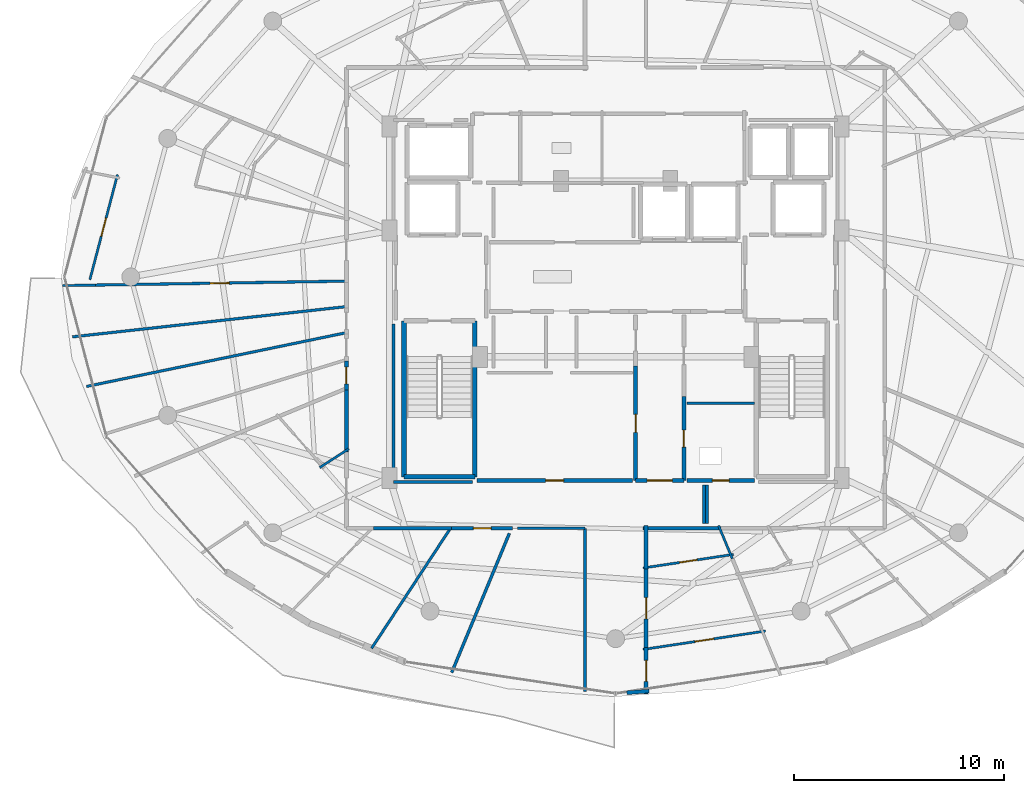
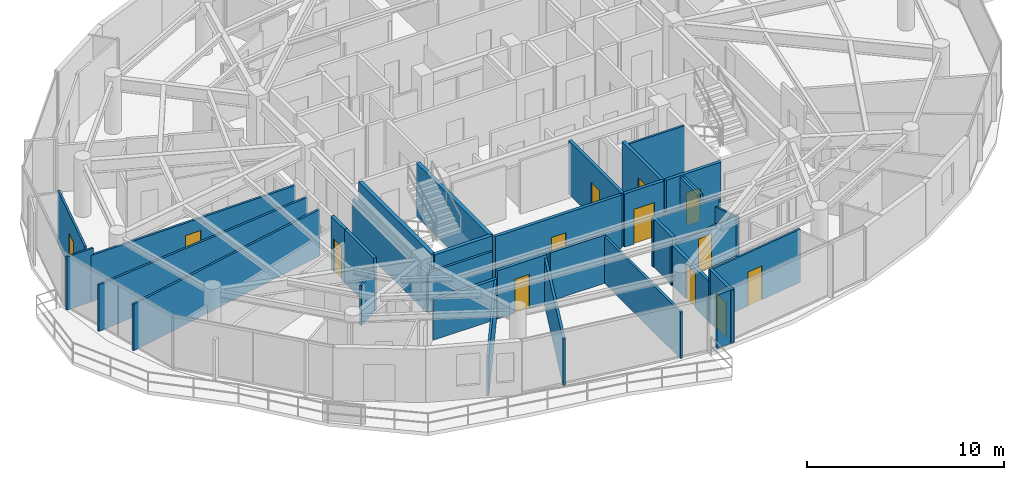
# One storey, part 24 of 32: 35 walls, 13 doors, 13 openings.
"""IFC4 building model written with IfcOpenShell, lengths in metres."""

from ifc_helpers import new_model, si_unit, direction, frame, frame_2d, origin, place, context, subcontext, project, spatial, rectangle, extrude, material, layer, layer_set, type_object, element, fill, save


model = new_model("IFC4")

# Units and contexts
model_context = context("Model", 3, precision=1e-05, world=origin(), true_north=direction((0.0, 1.0)))
body_context = subcontext(model_context, "Body", "Model", "MODEL_VIEW")
ifc_project = project(units=[si_unit("LENGTHUNIT", "METRE"), si_unit("AREAUNIT", "SQUARE_METRE"), si_unit("VOLUMEUNIT", "CUBIC_METRE"), si_unit("PLANEANGLEUNIT", "RADIAN"), si_unit("MASSUNIT", "GRAM", prefix="KILO")], contexts=[model_context])

# Site, building, storey
site_placement = place(None, origin())
site = spatial("IfcSite", under=ifc_project, at=site_placement, CompositionType="ELEMENT")
building_placement = place(site_placement, origin())
building = spatial("IfcBuilding", under=site, at=building_placement, Name="Vorneva Point Tower", CompositionType="ELEMENT")
storey_placement = place(building_placement, frame((0.0, 0.0, 269.75)))
storey = spatial("IfcBuildingStorey", under=building, at=storey_placement, Name="L73", CompositionType="ELEMENT", Elevation=269.75)

# Wall, opening, door
ifc_material_1 = material(Name="Fire-rated acoustic gypsum stud partition", Category="gypsum")
ifc_layer_1 = layer(ifc_material_1, 0.110107421875)
ifc_layer_set_1 = layer_set([ifc_layer_1], Name="Fire-rated acoustic gypsum stud partition")
wall_type_1 = type_object("IfcWallType", Name="WL-PART-110", PredefinedType="PARTITIONING", material=ifc_layer_set_1)
wall_1_placement = place(storey_placement, frame((14.318603515625, 30.8603515625, 0.0), z_axis=(0.0, 0.0, 1.0), x_axis=(-0.254404898477, -0.967097796312, 0.0)))
wall_1 = element("IfcWall", 1, at=wall_1_placement, inside=storey, type_object=wall_type_1, Name="L73 Interior Partition 091", PredefinedType="PARTITIONING", context=body_context, shape_type="SweptSolid", body=[
    extrude(rectangle(XDim=5.165771484375, YDim=0.110107421875, at=frame_2d((2.5830078125, 0.0))), origin(), (0.0, 0.0, 1.0), 3.2900390625),
])
opening_1_placement = place(wall_1_placement, frame((2.1328125, 0.0, 0.0)))
opening_1 = element("IfcOpeningElement", 2, at=opening_1_placement, cuts=wall_1, Name="Opening ID-01", PredefinedType="OPENING", context=body_context, shape_type="SweptSolid", body=[
    extrude(rectangle(XDim=0.89990234375, YDim=2.10009765625, at=frame_2d((0.449951171875, 1.050048828125))), frame((0.0, 0.06982421875, 0.0), z_axis=(0.0, -1.0, 0.0), x_axis=(1.0, 0.0, 0.0)), (0.0, 0.0, 1.0), 0.139892578125),
])
ifc_material_2 = material(Name="Engineered oak fire-rated door leaf", Category="wood")
door_type_1 = type_object("IfcDoorType", Name="DR-ROOM-900", OperationType="NOTDEFINED", PredefinedType="DOOR", material=ifc_material_2)
door_1_placement = place(opening_1_placement, origin())
door_1 = element("IfcDoor", 3, at=door_1_placement, inside=storey, type_object=door_type_1, Name="L73 Door Living and Dining Room L73-04 / Kitchen L73-04", OperationType="SINGLE_SWING_RIGHT", OverallHeight=2.10009765625, OverallWidth=0.89990234375, PredefinedType="DOOR", context=body_context, shape_type="SweptSolid", body=[
    extrude(rectangle(XDim=0.89990234375, YDim=2.10009765625, at=frame_2d((0.449951171875, 1.050048828125))), frame((0.0, 0.02490234375, 0.0), z_axis=(0.0, -1.0, 0.0), x_axis=(1.0, 0.0, 0.0)), (0.0, 0.0, 1.0), 0.050048828125),
])
fill(opening_1, door_1)

# Walls
wall_2_placement = place(storey_placement, frame((11.714111328125, 25.5869140625, 0.0), z_axis=(0.0, 0.0, 1.0), x_axis=(0.9998813462, 0.015404334465, 0.0)))
element("IfcWall", 4, at=wall_2_placement, inside=storey, type_object=wall_type_1, Name="L73 Interior Partition 098", PredefinedType="PARTITIONING", context=body_context, shape_type="SweptSolid", body=[
    extrude(rectangle(XDim=1.569091796875, YDim=0.110107421875, at=frame_2d((0.78466796875, 0.0))), origin(), (0.0, 0.0, 1.0), 3.2900390625),
])
wall_3_placement = place(storey_placement, frame((25.317626953125, 17.827880859375, 0.0), z_axis=(0.0, 0.0, 1.0), x_axis=(-0.840783734709, -0.541371140207, 0.0)))
element("IfcWall", 5, at=wall_3_placement, inside=storey, type_object=wall_type_1, Name="L73 Interior Partition 103", PredefinedType="PARTITIONING", context=body_context, shape_type="SweptSolid", body=[
    extrude(rectangle(XDim=1.648681640625, YDim=0.110107421875, at=frame_2d((0.82421875, 0.0))), origin(), (0.0, 0.0, 1.0), 2.48193359375),
])
wall_4_placement = place(storey_placement, frame((43.549560546875, 12.602783203125, 0.0), z_axis=(0.0, 0.0, 1.0), x_axis=(-0.382735094105, 0.923858131826, 0.0)))
element("IfcWall", 6, at=wall_4_placement, inside=storey, type_object=wall_type_1, Name="L73 Interior Partition 111", PredefinedType="PARTITIONING", context=body_context, shape_type="SweptSolid", body=[
    extrude(rectangle(XDim=1.706298828125, YDim=0.110107421875, at=frame_2d((0.85302734375, 0.0))), origin(), (0.0, 0.0, 1.0), 2.48193359375),
])

# Wall, opening, door
wall_5_placement = place(storey_placement, frame((43.611328125, 12.807861328125, 0.0), z_axis=(0.0, 0.0, 1.0), x_axis=(-0.988876968465, -0.148735810213, 0.0)))
wall_5 = element("IfcWall", 7, at=wall_5_placement, inside=storey, type_object=wall_type_1, Name="L73 Interior Partition 112", PredefinedType="PARTITIONING", context=body_context, shape_type="SweptSolid", body=[
    extrude(rectangle(XDim=4.34814453125, YDim=0.110107421875, at=frame_2d((2.174072265625, 0.0))), origin(), (0.0, 0.0, 1.0), 2.48193359375),
])
opening_2_placement = place(wall_5_placement, frame((1.7490234375, 0.0, 0.0)))
opening_2 = element("IfcOpeningElement", 8, at=opening_2_placement, cuts=wall_5, Name="Opening ID-02", PredefinedType="OPENING", context=body_context, shape_type="SweptSolid", body=[
    extrude(rectangle(XDim=0.85009765625, YDim=2.10009765625, at=frame_2d((0.425048828125, 1.050048828125))), frame((0.0, 0.06982421875, 0.0), z_axis=(0.0, -1.0, 0.0), x_axis=(1.0, 0.0, 0.0)), (0.0, 0.0, 1.0), 0.139892578125),
])
door_type_2 = type_object("IfcDoorType", Name="DR-BATH-850", OperationType="NOTDEFINED", PredefinedType="DOOR", material=ifc_material_2)
door_2_placement = place(opening_2_placement, origin())
door_2 = element("IfcDoor", 9, at=door_2_placement, inside=storey, type_object=door_type_2, Name="L73 Door Studio Apartment L73-06 / Bathroom L73-06", OperationType="SINGLE_SWING_RIGHT", OverallHeight=2.10009765625, OverallWidth=0.85009765625, PredefinedType="DOOR", context=body_context, shape_type="SweptSolid", body=[
    extrude(rectangle(XDim=0.85009765625, YDim=2.10009765625, at=frame_2d((0.425048828125, 1.050048828125))), frame((0.0, 0.02490234375, 0.0), z_axis=(0.0, -1.0, 0.0), x_axis=(1.0, 0.0, 0.0)), (0.0, 0.0, 1.0), 0.050048828125),
])
fill(opening_2, door_2)

wall_6_placement = place(storey_placement, frame((39.3115234375, 8.289306640625, 0.0), z_axis=(0.0, 0.0, 1.0), x_axis=(0.988884781275, 0.1486838571, 0.0)))
wall_6 = element("IfcWall", 10, at=wall_6_placement, inside=storey, type_object=wall_type_1, Name="L73 Interior Partition 114", PredefinedType="PARTITIONING", context=body_context, shape_type="SweptSolid", body=[
    extrude(rectangle(XDim=5.875, YDim=0.110107421875, at=frame_2d((2.9375, 0.0))), origin(), (0.0, 0.0, 1.0), 3.2900390625),
])
opening_3_placement = place(wall_6_placement, frame((2.487548828125, 0.0, 0.0)))
opening_3 = element("IfcOpeningElement", 11, at=opening_3_placement, cuts=wall_6, Name="Opening ID-01", PredefinedType="OPENING", context=body_context, shape_type="SweptSolid", body=[
    extrude(rectangle(XDim=0.89990234375, YDim=2.10009765625, at=frame_2d((0.449951171875, 1.050048828125))), frame((0.0, 0.06982421875, 0.0), z_axis=(0.0, -1.0, 0.0), x_axis=(1.0, 0.0, 0.0)), (0.0, 0.0, 1.0), 0.139892578125),
])
door_3_placement = place(opening_3_placement, origin())
door_3 = element("IfcDoor", 12, at=door_3_placement, inside=storey, type_object=door_type_1, Name="L73 Door Studio Apartment L73-06 / Kitchen L73-06", OperationType="SINGLE_SWING_LEFT", OverallHeight=2.10009765625, OverallWidth=0.89990234375, PredefinedType="DOOR", context=body_context, shape_type="SweptSolid", body=[
    extrude(rectangle(XDim=0.89990234375, YDim=2.10009765625, at=frame_2d((0.449951171875, 1.050048828125))), frame((0.0, 0.02490234375, 0.0), z_axis=(0.0, -1.0, 0.0), x_axis=(1.0, 0.0, 0.0)), (0.0, 0.0, 1.0), 0.050048828125),
])
fill(opening_3, door_3)

# Wall
ifc_layer_2 = layer(ifc_material_1, 0.125)
ifc_layer_set_2 = layer_set([ifc_layer_2], Name="Fire-rated acoustic gypsum stud partition")
wall_type_2 = type_object("IfcWallType", Name="WL-PART-125", PredefinedType="PARTITIONING", material=ifc_layer_set_2)
wall_7_placement = place(storey_placement, frame((44.60009765625, 20.0, 0.0), z_axis=(0.0, 0.0, 1.0), x_axis=(-1.0, 0.0, 0.0)))
element("IfcWall", 13, at=wall_7_placement, inside=storey, type_object=wall_type_2, Name="L73 Interior Partition 020", PredefinedType="PARTITIONING", context=body_context, shape_type="SweptSolid", body=[
    extrude(rectangle(XDim=3.2001953125, YDim=0.125, at=frame_2d((1.60009765625, 0.0))), origin(), (0.0, 0.0, 1.0), 3.2900390625),
])

# Wall, opening, door
wall_8_placement = place(storey_placement, frame((13.14306640625, 25.60888671875, 0.0), z_axis=(0.0, 0.0, 1.0), x_axis=(0.999875613351, 0.015772058374, 0.0)))
wall_8 = element("IfcWall", 14, at=wall_8_placement, inside=storey, type_object=wall_type_2, Name="L73 Interior Partition 095", PredefinedType="PARTITIONING", context=body_context, shape_type="SweptSolid", body=[
    extrude(rectangle(XDim=12.058349609375, YDim=0.125, at=frame_2d((6.029296875, 0.0))), origin(), (0.0, 0.0, 1.0), 2.8740234375),
])
opening_4_placement = place(wall_8_placement, frame((5.5791015625, 0.0, 0.0)))
opening_4 = element("IfcOpeningElement", 15, at=opening_4_placement, cuts=wall_8, Name="Opening ID-01", PredefinedType="OPENING", context=body_context, shape_type="SweptSolid", body=[
    extrude(rectangle(XDim=0.89990234375, YDim=2.10009765625, at=frame_2d((0.449951171875, 1.050048828125))), frame((0.0, 0.077392578125, 0.0), z_axis=(0.0, -1.0, 0.0), x_axis=(1.0, 0.0, 0.0)), (0.0, 0.0, 1.0), 0.15478515625),
])
door_4_placement = place(opening_4_placement, origin())
door_4 = element("IfcDoor", 16, at=door_4_placement, inside=storey, type_object=door_type_1, Name="L73 Door Living and Dining Room L73-04 / Master Bedroom L73-04.1", OperationType="SINGLE_SWING_RIGHT", OverallHeight=2.10009765625, OverallWidth=0.89990234375, PredefinedType="DOOR", context=body_context, shape_type="SweptSolid", body=[
    extrude(rectangle(XDim=0.89990234375, YDim=2.10009765625, at=frame_2d((0.449951171875, 1.050048828125))), frame((0.0, 0.02490234375, 0.0), z_axis=(0.0, -1.0, 0.0), x_axis=(1.0, 0.0, 0.0)), (0.0, 0.0, 1.0), 0.050048828125),
])
fill(opening_4, door_4)

# Walls
wall_9_placement = place(storey_placement, frame((12.172119140625, 23.14892578125, 0.0), z_axis=(0.0, 0.0, 1.0), x_axis=(0.993963433103, 0.109711866515, 0.0)))
element("IfcWall", 17, at=wall_9_placement, inside=storey, type_object=wall_type_2, Name="L73 Interior Partition 099", PredefinedType="PARTITIONING", context=body_context, shape_type="SweptSolid", body=[
    extrude(rectangle(XDim=13.10693359375, YDim=0.125, at=frame_2d((6.553466796875, 0.0))), origin(), (0.0, 0.0, 1.0), 2.8740234375),
])
wall_10_placement = place(storey_placement, frame((12.844970703125, 20.791015625, 0.0), z_axis=(0.0, 0.0, 1.0), x_axis=(0.97923049011, 0.202750208975, 0.0)))
element("IfcWall", 18, at=wall_10_placement, inside=storey, type_object=wall_type_2, Name="L73 Interior Partition 100", PredefinedType="PARTITIONING", context=body_context, shape_type="SweptSolid", body=[
    extrude(rectangle(XDim=12.616943359375, YDim=0.125, at=frame_2d((6.30859375, 0.0))), origin(), (0.0, 0.0, 1.0), 2.8740234375),
])
wall_11_placement = place(storey_placement, frame((26.39697265625, 8.3359375, 0.0), z_axis=(0.0, 0.0, 1.0), x_axis=(0.548967647923, 0.835843598728, 0.0)))
element("IfcWall", 19, at=wall_11_placement, inside=storey, type_object=wall_type_2, Name="L73 Interior Partition 110", PredefinedType="PARTITIONING", context=body_context, shape_type="SweptSolid", body=[
    extrude(rectangle(XDim=6.83642578125, YDim=0.125, at=frame_2d((3.418212890625, 0.0))), origin(), (0.0, 0.0, 1.0), 2.48193359375),
])
ifc_layer_3 = layer(ifc_material_1, 0.139892578125)
ifc_layer_set_3 = layer_set([ifc_layer_3], Name="Fire-rated acoustic gypsum stud partition")
wall_type_3 = type_object("IfcWallType", Name="WL-PART-140", PredefinedType="PARTITIONING", material=ifc_layer_set_3)
wall_12_placement = place(storey_placement, frame((33.330078125, 14.050048828125, 0.0), z_axis=(0.0, 0.0, 1.0), x_axis=(1.0, 0.0, 0.0)))
element("IfcWall", 20, at=wall_12_placement, inside=storey, type_object=wall_type_3, Name="L73 Interior Closure Partition 136", PredefinedType="PARTITIONING", context=body_context, shape_type="SweptSolid", body=[
    extrude(rectangle(XDim=3.219970703125, YDim=0.139892578125, at=frame_2d((1.60986328125, 0.0))), origin(), (0.0, 0.0, 1.0), 2.97900390625),
])
wall_13_placement = place(storey_placement, frame((36.550048828125, 14.050048828125, 0.0), z_axis=(0.0, 0.0, 1.0), x_axis=(0.0, -1.0, 0.0)))
element("IfcWall", 21, at=wall_13_placement, inside=storey, type_object=wall_type_3, Name="L73 Interior Closure Partition 137", PredefinedType="PARTITIONING", context=body_context, shape_type="SweptSolid", body=[
    extrude(rectangle(XDim=7.7509765625, YDim=0.139892578125, at=frame_2d((3.87548828125, 0.0))), origin(), (0.0, 0.0, 1.0), 2.8740234375),
])
wall_14_placement = place(storey_placement, frame((42.340087890625, 14.27001953125, 0.0), z_axis=(0.0, 0.0, 1.0), x_axis=(0.0, 1.0, 0.0)))
element("IfcWall", 22, at=wall_14_placement, inside=storey, type_object=wall_type_3, Name="L73 Interior Closure Partition 140", PredefinedType="PARTITIONING", context=body_context, shape_type="SweptSolid", body=[
    extrude(rectangle(XDim=1.830078125, YDim=0.139892578125, at=frame_2d((0.9150390625, 0.0))), origin(), (0.0, 0.0, 1.0), 3.2900390625),
])
wall_15_placement = place(storey_placement, frame((27.449951171875, 23.75390625, 0.0), z_axis=(0.0, 0.0, 1.0), x_axis=(0.0, -1.0, 0.0)))
element("IfcWall", 23, at=wall_15_placement, inside=storey, type_object=wall_type_3, Name="L73 Interior Closure Partition 148", PredefinedType="PARTITIONING", context=body_context, shape_type="SweptSolid", body=[
    extrude(rectangle(XDim=7.513916015625, YDim=0.139892578125, at=frame_2d((3.7568359375, 0.0))), origin(), (0.0, 0.0, 1.0), 2.48193359375),
])
wall_16_placement = place(storey_placement, frame((27.449951171875, 16.239990234375, 0.0), z_axis=(0.0, 0.0, 1.0), x_axis=(1.0, 0.0, 0.0)))
element("IfcWall", 24, at=wall_16_placement, inside=storey, type_object=wall_type_3, Name="L73 Interior Closure Partition 149", PredefinedType="PARTITIONING", context=body_context, shape_type="SweptSolid", body=[
    extrude(rectangle(XDim=3.7451171875, YDim=0.139892578125, at=frame_2d((1.87255859375, 0.0))), origin(), (0.0, 0.0, 1.0), 2.48193359375),
])
wall_17_placement = place(storey_placement, frame((42.199951171875, 16.10009765625, 0.0), z_axis=(0.0, 0.0, 1.0), x_axis=(0.0, -1.0, 0.0)))
element("IfcWall", 25, at=wall_17_placement, inside=storey, type_object=wall_type_3, Name="L73 Interior Closure Partition 150", PredefinedType="PARTITIONING", context=body_context, shape_type="SweptSolid", body=[
    extrude(rectangle(XDim=1.830078125, YDim=0.139892578125, at=frame_2d((0.9150390625, 0.0))), origin(), (0.0, 0.0, 1.0), 3.2900390625),
])
wall_18_placement = place(storey_placement, frame((30.20703125, 7.18701171875, 0.0), z_axis=(0.0, 0.0, 1.0), x_axis=(0.382679691634, 0.923881081964, 0.0)))
element("IfcWall", 26, at=wall_18_placement, inside=storey, type_object=wall_type_3, Name="L73 Interior Closure Partition 153", PredefinedType="PARTITIONING", context=body_context, shape_type="SweptSolid", body=[
    extrude(rectangle(XDim=7.167724609375, YDim=0.139892578125, at=frame_2d((3.583984375, 0.0))), origin(), (0.0, 0.0, 1.0), 2.8740234375),
])

# Wall, opening, door
ifc_material_3 = material(Name="Autoclaved aerated concrete blockwork", Category="masonry")
ifc_layer_4 = layer(ifc_material_3, 0.179931640625)
ifc_layer_set_4 = layer_set([ifc_layer_4], Name="Autoclaved aerated concrete blockwork")
wall_type_4 = type_object("IfcWallType", Name="WL-PART-180", PredefinedType="PARTITIONING", material=ifc_layer_set_4)
wall_19_placement = place(storey_placement, frame((41.25, 16.320068359375, 0.0), z_axis=(0.0, 0.0, 1.0), x_axis=(0.0, 1.0, 0.0)))
wall_19 = element("IfcWall", 27, at=wall_19_placement, inside=storey, type_object=wall_type_4, Name="L73 Interior Partition 015", PredefinedType="PARTITIONING", context=body_context, shape_type="SweptSolid", body=[
    extrude(rectangle(XDim=3.98486328125, YDim=0.179931640625, at=frame_2d((1.992431640625, 0.0))), origin(), (0.0, 0.0, 1.0), 3.2900390625),
])
opening_5_placement = place(wall_19_placement, frame((1.592529296875, 0.0, 0.0)))
opening_5 = element("IfcOpeningElement", 28, at=opening_5_placement, cuts=wall_19, Name="Opening RD-01", PredefinedType="OPENING", context=body_context, shape_type="SweptSolid", body=[
    extrude(rectangle(XDim=0.800048828125, YDim=2.050048828125, at=frame_2d((0.39990234375, 1.02490234375))), frame((0.0, 0.10498046875, 0.0), z_axis=(0.0, -1.0, 0.0), x_axis=(1.0, 0.0, 0.0)), (0.0, 0.0, 1.0), 0.209716796875),
])
ifc_material_4 = material(Name="Fire-rated powder-coated steel", Category="steel")
door_type_3 = type_object("IfcDoorType", Name="DR-RSR-800", OperationType="SINGLE_SWING_LEFT", PredefinedType="DOOR", material=ifc_material_4)
door_5_placement = place(opening_5_placement, origin())
door_5 = element("IfcDoor", 29, at=door_5_placement, inside=storey, type_object=door_type_3, Name="L73 Door Core Service Lobby / Electrical Riser", OperationType="SINGLE_SWING_RIGHT", OverallHeight=2.050048828125, OverallWidth=0.800048828125, PredefinedType="DOOR", context=body_context, shape_type="SweptSolid", body=[
    extrude(rectangle(XDim=0.800048828125, YDim=2.050048828125, at=frame_2d((0.39990234375, 1.02490234375))), frame((0.0, 0.02490234375, 0.0), z_axis=(0.0, -1.0, 0.0), x_axis=(1.0, 0.0, 0.0)), (0.0, 0.0, 1.0), 0.050048828125),
])
fill(opening_5, door_5)

wall_20_placement = place(storey_placement, frame((38.949951171875, 21.7548828125, 0.0), z_axis=(0.0, 0.0, 1.0), x_axis=(0.0, -1.0, 0.0)))
wall_20 = element("IfcWall", 30, at=wall_20_placement, inside=storey, type_object=wall_type_4, Name="L73 Interior Partition 017", PredefinedType="PARTITIONING", context=body_context, shape_type="SweptSolid", body=[
    extrude(rectangle(XDim=5.434814453125, YDim=0.179931640625, at=frame_2d((2.71728515625, 0.0))), origin(), (0.0, 0.0, 1.0), 3.2900390625),
])
opening_6_placement = place(wall_20_placement, frame((2.29248046875, 0.0, 0.0)))
opening_6 = element("IfcOpeningElement", 31, at=opening_6_placement, cuts=wall_20, Name="Opening ID-02", PredefinedType="OPENING", context=body_context, shape_type="SweptSolid", body=[
    extrude(rectangle(XDim=0.85009765625, YDim=2.10009765625, at=frame_2d((0.425048828125, 1.050048828125))), frame((0.0, 0.10498046875, 0.0), z_axis=(0.0, -1.0, 0.0), x_axis=(1.0, 0.0, 0.0)), (0.0, 0.0, 1.0), 0.209716796875),
])
door_6_placement = place(opening_6_placement, origin())
door_6 = element("IfcDoor", 32, at=door_6_placement, inside=storey, type_object=door_type_2, Name="L73 Door Core Service Lobby / Floor Storage Room", OperationType="SINGLE_SWING_RIGHT", OverallHeight=2.10009765625, OverallWidth=0.85009765625, PredefinedType="DOOR", context=body_context, shape_type="SweptSolid", body=[
    extrude(rectangle(XDim=0.85009765625, YDim=2.10009765625, at=frame_2d((0.425048828125, 1.050048828125))), frame((0.0, 0.02490234375, 0.0), z_axis=(0.0, -1.0, 0.0), x_axis=(1.0, 0.0, 0.0)), (0.0, 0.0, 1.0), 0.050048828125),
])
fill(opening_6, door_6)

wall_21_placement = place(storey_placement, frame((38.949951171875, 16.320068359375, 0.0), z_axis=(0.0, 0.0, 1.0), x_axis=(1.0, 0.0, 0.0)))
wall_21 = element("IfcWall", 33, at=wall_21_placement, inside=storey, type_object=wall_type_4, Name="L73 Interior Partition 019", PredefinedType="PARTITIONING", context=body_context, shape_type="SweptSolid", body=[
    extrude(rectangle(XDim=2.300048828125, YDim=0.179931640625, at=frame_2d((1.14990234375, 0.0))), origin(), (0.0, 0.0, 1.0), 3.2900390625),
])
opening_7_placement = place(wall_21_placement, frame((0.550048828125, 0.0, 0.0)))
opening_7 = element("IfcOpeningElement", 34, at=opening_7_placement, cuts=wall_21, Name="Opening FD-02", PredefinedType="OPENING", context=body_context, shape_type="SweptSolid", body=[
    extrude(rectangle(XDim=1.199951171875, YDim=2.14990234375, at=frame_2d((0.60009765625, 1.074951171875))), frame((0.0, 0.10498046875, 0.0), z_axis=(0.0, -1.0, 0.0), x_axis=(1.0, 0.0, 0.0)), (0.0, 0.0, 1.0), 0.209716796875),
])
door_type_4 = type_object("IfcDoorType", Name="DR-FFL-1200", OperationType="NOTDEFINED", PredefinedType="DOOR", material=ifc_material_4)
door_7_placement = place(opening_7_placement, origin())
door_7 = element("IfcDoor", 35, at=door_7_placement, inside=storey, type_object=door_type_4, Name="L73 Door Core Service Lobby / L73 Circulation Corridor", OperationType="SINGLE_SWING_RIGHT", OverallHeight=2.14990234375, OverallWidth=1.199951171875, PredefinedType="DOOR", context=body_context, shape_type="SweptSolid", body=[
    extrude(rectangle(XDim=1.199951171875, YDim=2.14990234375, at=frame_2d((0.60009765625, 1.074951171875))), frame((0.0, 0.02490234375, 0.0), z_axis=(0.0, -1.0, 0.0), x_axis=(1.0, 0.0, 0.0)), (0.0, 0.0, 1.0), 0.050048828125),
])
fill(opening_7, door_7)

wall_22_placement = place(storey_placement, frame((41.39990234375, 16.320068359375, 0.0), z_axis=(0.0, 0.0, 1.0), x_axis=(1.0, 0.0, 0.0)))
wall_22 = element("IfcWall", 36, at=wall_22_placement, inside=storey, type_object=wall_type_4, Name="L73 Interior Partition 021", PredefinedType="PARTITIONING", context=body_context, shape_type="SweptSolid", body=[
    extrude(rectangle(XDim=3.2001953125, YDim=0.179931640625, at=frame_2d((1.60009765625, 0.0))), origin(), (0.0, 0.0, 1.0), 3.2900390625),
])
opening_8_placement = place(wall_22_placement, frame((1.199951171875, 0.0, 0.0)))
opening_8 = element("IfcOpeningElement", 37, at=opening_8_placement, cuts=wall_22, Name="Opening RD-01", PredefinedType="OPENING", context=body_context, shape_type="SweptSolid", body=[
    extrude(rectangle(XDim=0.800048828125, YDim=2.050048828125, at=frame_2d((0.39990234375, 1.02490234375))), frame((0.0, 0.10498046875, 0.0), z_axis=(0.0, -1.0, 0.0), x_axis=(1.0, 0.0, 0.0)), (0.0, 0.0, 1.0), 0.209716796875),
])
door_8_placement = place(opening_8_placement, origin())
door_8 = element("IfcDoor", 38, at=door_8_placement, inside=storey, type_object=door_type_3, Name="L73 Door Electrical Riser / L73 Circulation Corridor", OperationType="SINGLE_SWING_LEFT", OverallHeight=2.050048828125, OverallWidth=0.800048828125, PredefinedType="DOOR", context=body_context, shape_type="SweptSolid", body=[
    extrude(rectangle(XDim=0.800048828125, YDim=2.050048828125, at=frame_2d((0.39990234375, 1.02490234375))), frame((0.0, 0.02490234375, 0.0), z_axis=(0.0, -1.0, 0.0), x_axis=(1.0, 0.0, 0.0)), (0.0, 0.0, 1.0), 0.050048828125),
])
fill(opening_8, door_8)

wall_23_placement = place(storey_placement, frame((31.39990234375, 16.320068359375, 0.0), z_axis=(0.0, 0.0, 1.0), x_axis=(1.0, 0.0, 0.0)))
wall_23 = element("IfcWall", 39, at=wall_23_placement, inside=storey, type_object=wall_type_4, Name="L73 Interior Partition 030", PredefinedType="PARTITIONING", context=body_context, shape_type="SweptSolid", body=[
    extrude(rectangle(XDim=7.400146484375, YDim=0.179931640625, at=frame_2d((3.7001953125, 0.0))), origin(), (0.0, 0.0, 1.0), 3.2900390625),
])
opening_9_placement = place(wall_23_placement, frame((3.27490234375, 0.0, 0.0)))
opening_9 = element("IfcOpeningElement", 40, at=opening_9_placement, cuts=wall_23, Name="Opening ID-02", PredefinedType="OPENING", context=body_context, shape_type="SweptSolid", body=[
    extrude(rectangle(XDim=0.85009765625, YDim=2.10009765625, at=frame_2d((0.425048828125, 1.050048828125))), frame((0.0, 0.10498046875, 0.0), z_axis=(0.0, -1.0, 0.0), x_axis=(1.0, 0.0, 0.0)), (0.0, 0.0, 1.0), 0.209716796875),
])
door_9_placement = place(opening_9_placement, origin())
door_9 = element("IfcDoor", 41, at=door_9_placement, inside=storey, type_object=door_type_2, Name="L73 Door Floor Storage Room / L73 Circulation Corridor", OperationType="SINGLE_SWING_RIGHT", OverallHeight=2.10009765625, OverallWidth=0.85009765625, PredefinedType="DOOR", context=body_context, shape_type="SweptSolid", body=[
    extrude(rectangle(XDim=0.85009765625, YDim=2.10009765625, at=frame_2d((0.425048828125, 1.050048828125))), frame((0.0, 0.02490234375, 0.0), z_axis=(0.0, -1.0, 0.0), x_axis=(1.0, 0.0, 0.0)), (0.0, 0.0, 1.0), 0.050048828125),
])
fill(opening_9, door_9)

wall_24_placement = place(storey_placement, frame((25.199951171875, 21.9990234375, 0.0), z_axis=(0.0, 0.0, 1.0), x_axis=(0.0, -1.0, 0.0)))
wall_24 = element("IfcWall", 42, at=wall_24_placement, inside=storey, type_object=wall_type_4, Name="L73 Interior Partition 047", PredefinedType="PARTITIONING", context=body_context, shape_type="SweptSolid", body=[
    extrude(rectangle(XDim=1.365966796875, YDim=0.179931640625, at=frame_2d((0.68310546875, 0.0))), origin(), (0.0, 0.0, 1.0), 3.2900390625),
])
opening_10_placement = place(wall_24_placement, frame((0.282958984375, 0.0, 0.0)))
opening_10 = element("IfcOpeningElement", 43, at=opening_10_placement, cuts=wall_24, Name="Opening RD-01", PredefinedType="OPENING", context=body_context, shape_type="SweptSolid", body=[
    extrude(rectangle(XDim=0.800048828125, YDim=2.050048828125, at=frame_2d((0.39990234375, 1.02490234375))), frame((0.0, 0.10498046875, 0.0), z_axis=(0.0, -1.0, 0.0), x_axis=(1.0, 0.0, 0.0)), (0.0, 0.0, 1.0), 0.209716796875),
])
door_10_placement = place(opening_10_placement, origin())
door_10 = element("IfcDoor", 44, at=door_10_placement, inside=storey, type_object=door_type_3, Name="L73 Access Door L73 Circulation Corridor", OperationType="SINGLE_SWING_LEFT", OverallHeight=2.050048828125, OverallWidth=0.800048828125, PredefinedType="DOOR", context=body_context, shape_type="SweptSolid", body=[
    extrude(rectangle(XDim=0.800048828125, YDim=2.050048828125, at=frame_2d((0.39990234375, 1.02490234375))), frame((0.0, 0.02490234375, 0.0), z_axis=(0.0, -1.0, 0.0), x_axis=(1.0, 0.0, 0.0)), (0.0, 0.0, 1.0), 0.050048828125),
])
fill(opening_10, door_10)

# Walls
wall_25_placement = place(storey_placement, frame((25.199951171875, 20.77294921875, 0.0), z_axis=(0.0, 0.0, 1.0), x_axis=(0.0, -1.0, 0.0)))
element("IfcWall", 45, at=wall_25_placement, inside=storey, type_object=wall_type_4, Name="L73 Interior Partition 050", PredefinedType="PARTITIONING", context=body_context, shape_type="SweptSolid", body=[
    extrude(rectangle(XDim=3.100830078125, YDim=0.179931640625, at=frame_2d((1.55029296875, 0.0))), origin(), (0.0, 0.0, 1.0), 3.2900390625),
])
wall_26_placement = place(storey_placement, frame((26.47998046875, 14.050048828125, 0.0), z_axis=(0.0, 0.0, 1.0), x_axis=(1.0, 0.0, 0.0)))
element("IfcWall", 46, at=wall_26_placement, inside=storey, type_object=wall_type_4, Name="L73 Interior Partition 051", PredefinedType="PARTITIONING", context=body_context, shape_type="SweptSolid", body=[
    extrude(rectangle(XDim=3.72998046875, YDim=0.179931640625, at=frame_2d((1.864990234375, 0.0))), origin(), (0.0, 0.0, 1.0), 2.48193359375),
])

# Wall, opening, door
wall_27_placement = place(storey_placement, frame((30.2099609375, 14.050048828125, 0.0), z_axis=(0.0, 0.0, 1.0), x_axis=(1.0, 0.0, 0.0)))
wall_27 = element("IfcWall", 47, at=wall_27_placement, inside=storey, type_object=wall_type_4, Name="L73 Interior Partition 052", PredefinedType="PARTITIONING", context=body_context, shape_type="SweptSolid", body=[
    extrude(rectangle(XDim=2.900146484375, YDim=0.179931640625, at=frame_2d((1.4501953125, 0.0))), origin(), (0.0, 0.0, 1.0), 2.97900390625),
])
opening_11_placement = place(wall_27_placement, frame((1.02490234375, 0.0, 0.0)))
opening_11 = element("IfcOpeningElement", 48, at=opening_11_placement, cuts=wall_27, Name="Opening ID-02", PredefinedType="OPENING", context=body_context, shape_type="SweptSolid", body=[
    extrude(rectangle(XDim=0.85009765625, YDim=2.10009765625, at=frame_2d((0.425048828125, 1.050048828125))), frame((0.0, 0.10498046875, 0.0), z_axis=(0.0, -1.0, 0.0), x_axis=(1.0, 0.0, 0.0)), (0.0, 0.0, 1.0), 0.209716796875),
])
door_11_placement = place(opening_11_placement, origin())
door_11 = element("IfcDoor", 49, at=door_11_placement, inside=storey, type_object=door_type_2, Name="L73 Access Door L73 Circulation Corridor", OperationType="SINGLE_SWING_RIGHT", OverallHeight=2.10009765625, OverallWidth=0.85009765625, PredefinedType="DOOR", context=body_context, shape_type="SweptSolid", body=[
    extrude(rectangle(XDim=0.85009765625, YDim=2.10009765625, at=frame_2d((0.425048828125, 1.050048828125))), frame((0.0, 0.02490234375, 0.0), z_axis=(0.0, -1.0, 0.0), x_axis=(1.0, 0.0, 0.0)), (0.0, 0.0, 1.0), 0.050048828125),
])
fill(opening_11, door_11)

wall_28_placement = place(storey_placement, frame((39.449951171875, 8.25, 0.0), z_axis=(0.0, 0.0, 1.0), x_axis=(0.0, 1.0, 0.0)))
wall_28 = element("IfcWall", 50, at=wall_28_placement, inside=storey, type_object=wall_type_4, Name="L73 Interior Partition 053", PredefinedType="PARTITIONING", context=body_context, shape_type="SweptSolid", body=[
    extrude(rectangle(XDim=3.992919921875, YDim=0.179931640625, at=frame_2d((1.99658203125, 0.0))), origin(), (0.0, 0.0, 1.0), 2.48193359375),
])
opening_12_placement = place(wall_28_placement, frame((1.49658203125, 0.0, 0.0)))
opening_12 = element("IfcOpeningElement", 51, at=opening_12_placement, cuts=wall_28, Name="Opening UD-01", PredefinedType="OPENING", context=body_context, shape_type="SweptSolid", body=[
    extrude(rectangle(XDim=1.0, YDim=2.14990234375, at=frame_2d((0.5, 1.074951171875))), frame((0.0, 0.10498046875, 0.0), z_axis=(0.0, -1.0, 0.0), x_axis=(1.0, 0.0, 0.0)), (0.0, 0.0, 1.0), 0.209716796875),
])
door_type_5 = type_object("IfcDoorType", Name="DR-UNIT-1000", OperationType="NOTDEFINED", PredefinedType="DOOR", material=ifc_material_2)
door_12_placement = place(opening_12_placement, origin())
door_12 = element("IfcDoor", 52, at=door_12_placement, inside=storey, type_object=door_type_5, Name="L73 Door L73 Circulation Corridor / Studio Apartment L73-06", OperationType="SINGLE_SWING_LEFT", OverallHeight=2.14990234375, OverallWidth=1.0, PredefinedType="DOOR", context=body_context, shape_type="SweptSolid", body=[
    extrude(rectangle(XDim=1.0, YDim=2.14990234375, at=frame_2d((0.5, 1.074951171875))), frame((0.0, 0.02490234375, 0.0), z_axis=(0.0, -1.0, 0.0), x_axis=(1.0, 0.0, 0.0)), (0.0, 0.0, 1.0), 0.050048828125),
])
fill(opening_12, door_12)

# Walls
wall_29_placement = place(storey_placement, frame((39.449951171875, 12.10302734375, 0.0), z_axis=(0.0, 0.0, 1.0), x_axis=(0.0, 1.0, 0.0)))
element("IfcWall", 53, at=wall_29_placement, inside=storey, type_object=wall_type_4, Name="L73 Interior Partition 054", PredefinedType="PARTITIONING", context=body_context, shape_type="SweptSolid", body=[
    extrude(rectangle(XDim=2.0869140625, YDim=0.179931640625, at=frame_2d((1.04345703125, 0.0))), origin(), (0.0, 0.0, 1.0), 2.97900390625),
])
wall_30_placement = place(storey_placement, frame((39.31005859375, 14.050048828125, 0.0), z_axis=(0.0, 0.0, 1.0), x_axis=(1.0, 0.0, 0.0)))
element("IfcWall", 54, at=wall_30_placement, inside=storey, type_object=wall_type_4, Name="L73 Interior Partition 055", PredefinedType="PARTITIONING", context=body_context, shape_type="SweptSolid", body=[
    extrude(rectangle(XDim=3.844970703125, YDim=0.179931640625, at=frame_2d((1.92236328125, 0.0))), origin(), (0.0, 0.0, 1.0), 2.97900390625),
])
wall_31_placement = place(storey_placement, frame((38.531494140625, 6.2294921875, 0.0), z_axis=(0.0, 0.0, 1.0), x_axis=(0.997148461952, 0.075464858219, 0.0)))
element("IfcWall", 55, at=wall_31_placement, inside=storey, type_object=wall_type_4, Name="L73 Interior Partition 056", PredefinedType="PARTITIONING", context=body_context, shape_type="SweptSolid", body=[
    extrude(rectangle(XDim=1.06103515625, YDim=0.179931640625, at=frame_2d((0.530517578125, 0.0))), origin(), (0.0, 0.0, 1.0), 3.2900390625),
])

# Wall, opening, door
wall_32_placement = place(storey_placement, frame((39.449951171875, 6.158935546875, 0.0), z_axis=(0.0, 0.0, 1.0), x_axis=(0.0, 1.0, 0.0)))
wall_32 = element("IfcWall", 56, at=wall_32_placement, inside=storey, type_object=wall_type_4, Name="L73 Interior Partition 057", PredefinedType="PARTITIONING", context=body_context, shape_type="SweptSolid", body=[
    extrude(rectangle(XDim=2.23095703125, YDim=0.179931640625, at=frame_2d((1.115478515625, 0.0))), origin(), (0.0, 0.0, 1.0), 3.2900390625),
])
opening_13_placement = place(wall_32_placement, frame((0.615478515625, 0.0, 0.0)))
opening_13 = element("IfcOpeningElement", 57, at=opening_13_placement, cuts=wall_32, Name="Opening UD-01", PredefinedType="OPENING", context=body_context, shape_type="SweptSolid", body=[
    extrude(rectangle(XDim=1.0, YDim=2.14990234375, at=frame_2d((0.5, 1.074951171875))), frame((0.0, 0.10498046875, 0.0), z_axis=(0.0, -1.0, 0.0), x_axis=(1.0, 0.0, 0.0)), (0.0, 0.0, 1.0), 0.209716796875),
])
door_13_placement = place(opening_13_placement, origin())
door_13 = element("IfcDoor", 58, at=door_13_placement, inside=storey, type_object=door_type_5, Name="L73 Door L73 Circulation Corridor / Kitchen L73-06", OperationType="SINGLE_SWING_RIGHT", OverallHeight=2.14990234375, OverallWidth=1.0, PredefinedType="DOOR", context=body_context, shape_type="SweptSolid", body=[
    extrude(rectangle(XDim=1.0, YDim=2.14990234375, at=frame_2d((0.5, 1.074951171875))), frame((0.0, 0.02490234375, 0.0), z_axis=(0.0, -1.0, 0.0), x_axis=(1.0, 0.0, 0.0)), (0.0, 0.0, 1.0), 0.050048828125),
])
fill(opening_13, door_13)

# Walls
ifc_material_5 = material(Name="Concrete B50 (C40/50)", Category="concrete")
ifc_layer_5 = layer(ifc_material_5, 0.219970703125)
ifc_layer_set_5 = layer_set([ifc_layer_5], Name="Concrete B50 (C40/50)")
wall_type_5 = type_object("IfcWallType", Name="WL-SHFT-220", PredefinedType="SOLIDWALL", material=ifc_layer_set_5)
wall_33_placement = place(storey_placement, frame((31.31005859375, 23.909912109375, 0.0), z_axis=(0.0, 0.0, 1.0), x_axis=(0.0, -1.0, 0.0)))
element("IfcWall", 59, at=wall_33_placement, inside=storey, type_object=wall_type_5, Name="L73 Exit Stair ST1 Shaft Wall right", PredefinedType="SOLIDWALL", context=body_context, shape_type="SweptSolid", body=[
    extrude(rectangle(XDim=7.419921875, YDim=0.219970703125, at=frame_2d((3.7099609375, 0.0))), origin(), (0.0, 0.0, 1.0), 3.2900390625),
])
wall_34_placement = place(storey_placement, frame((31.31005859375, 16.489990234375, 0.0), z_axis=(0.0, 0.0, 1.0), x_axis=(-1.0, 0.0, 0.0)))
element("IfcWall", 60, at=wall_34_placement, inside=storey, type_object=wall_type_5, Name="L73 Exit Stair ST1 Shaft Wall far", PredefinedType="SOLIDWALL", context=body_context, shape_type="SweptSolid", body=[
    extrude(rectangle(XDim=3.3701171875, YDim=0.219970703125, at=frame_2d((1.68505859375, 0.0))), origin(), (0.0, 0.0, 1.0), 3.2900390625),
])
wall_35_placement = place(storey_placement, frame((27.93994140625, 16.489990234375, 0.0), z_axis=(0.0, 0.0, 1.0), x_axis=(0.0, 1.0, 0.0)))
element("IfcWall", 61, at=wall_35_placement, inside=storey, type_object=wall_type_5, Name="L73 Exit Stair ST1 Shaft Wall left", PredefinedType="SOLIDWALL", context=body_context, shape_type="SweptSolid", body=[
    extrude(rectangle(XDim=7.419921875, YDim=0.219970703125, at=frame_2d((3.7099609375, 0.0))), origin(), (0.0, 0.0, 1.0), 3.2900390625),
])

save(model, "model.ifc")
